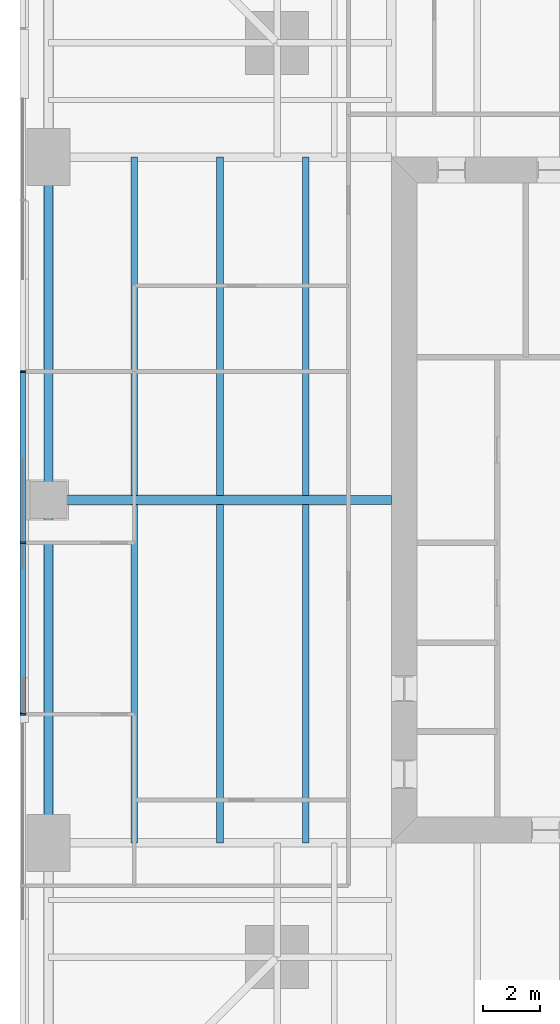
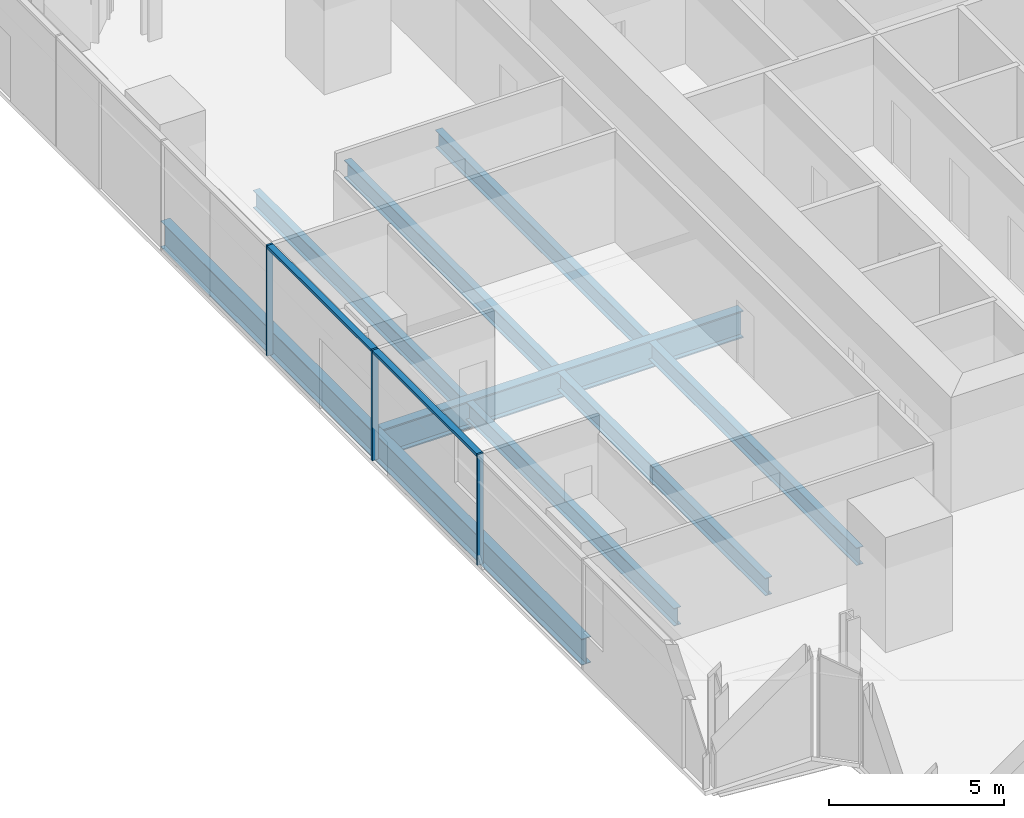
# One storey, part 4 of 13: 9 beams, 5 members, 1 element without a shape of its own.
"""IFC4 building model written with IfcOpenShell, lengths in metres."""

from ifc_helpers import new_model, si_unit, direction, frame, origin, origin_2d, place, context, subcontext, project, spatial, rectangle, i_section, extrude, material, material_profile, profile_set, type_object, element, aggregate, save


model = new_model("IFC4")

# Units and contexts
model_context = context("Model", 3, precision=1e-05, world=origin(), true_north=direction((0.0, 1.0)))
body_context = subcontext(model_context, "Body", "Model", "MODEL_VIEW")
ifc_project = project(units=[si_unit("LENGTHUNIT", "METRE"), si_unit("AREAUNIT", "SQUARE_METRE"), si_unit("VOLUMEUNIT", "CUBIC_METRE"), si_unit("PLANEANGLEUNIT", "RADIAN"), si_unit("MASSUNIT", "GRAM", prefix="KILO")], contexts=[model_context])

# Site, building, storey
site_placement = place(None, origin())
site = spatial("IfcSite", under=ifc_project, at=site_placement, CompositionType="ELEMENT")
building_placement = place(site_placement, origin())
building = spatial("IfcBuilding", under=site, at=building_placement, Name="Fenwick Lantern Interchange", CompositionType="ELEMENT")
storey_placement = place(building_placement, frame((0.0, 0.0, 138.39990234375)))
storey = spatial("IfcBuildingStorey", under=building, at=storey_placement, Name="L32", CompositionType="ELEMENT", Elevation=138.39990234375)

# Beams
ifc_material_1 = material(Name="Steel ASTM A992 Grade 50", Category="steel")
ifc_material_profile_1 = material_profile(ifc_material_1, i_section(OverallWidth=0.3046875, OverallDepth=0.911865234375, WebThickness=0.015869140625, FlangeThickness=0.02392578125, at=origin_2d()), Name="W36X150")
ifc_profile_set_1 = profile_set([ifc_material_profile_1], Name="Steel ASTM A992 Grade 50")
beam_type_1 = type_object("IfcBeamType", Name="EDGE BEAM W36X150", PredefinedType="SPANDREL", material=ifc_profile_set_1)
for number, where, z_axis, x_axis, name in (
    (1, (1.0, 37.0, -0.605712890625), (0.0, -1.0, 0.0), (1.0, 0.0, 0.0), "L32/FR/W/EB2"),
    (2, (1.0, 25.0, -0.605712890625), (0.0, -1.0, 0.0), (1.0, 0.0, 0.0), "L32/FR/W/EB3"),
):
    element("IfcBeam", number, at=place(storey_placement, frame(where, z_axis=z_axis, x_axis=x_axis)), inside=storey, type_object=beam_type_1, Name=name, PredefinedType="SPANDREL", context=body_context, shape_type="SweptSolid", body=[
        extrude(i_section(OverallWidth=0.3046875, OverallDepth=0.911865234375, WebThickness=0.015869140625, FlangeThickness=0.02392578125, at=origin_2d()), origin(), (0.0, 0.0, 1.0), 12.0),
    ])
ifc_material_profile_2 = material_profile(ifc_material_1, i_section(OverallWidth=0.22900390625, OverallDepth=0.612060546875, WebThickness=0.011962890625, FlangeThickness=0.01953125, at=origin_2d()), Name="W24X84")
ifc_profile_set_2 = profile_set([ifc_material_profile_2], Name="Steel ASTM A992 Grade 50")
beam_type_2 = type_object("IfcBeamType", Name="FLOOR BEAM W24X84", PredefinedType="BEAM", material=ifc_profile_set_2)
for number, where, z_axis, x_axis, name in (
    (3, (4.0, 37.0, -0.4560546875), (0.0, -1.0, 0.0), (1.0, 0.0, 0.0), "L32/FR/W/B01"),
    (4, (7.0, 37.0, -0.4560546875), (0.0, -1.0, 0.0), (1.0, 0.0, 0.0), "L32/FR/W/B02"),
    (5, (10.0, 37.0, -0.4560546875), (0.0, -1.0, 0.0), (1.0, 0.0, 0.0), "L32/FR/W/B03"),
    (6, (4.0, 24.844970703125, -0.4560546875), (0.0, -1.0, 0.0), (1.0, 0.0, 0.0), "L32/FR/W/B04"),
    (7, (7.0, 24.844970703125, -0.4560546875), (0.0, -1.0, 0.0), (1.0, 0.0, 0.0), "L32/FR/W/B05"),
    (8, (10.0, 24.844970703125, -0.4560546875), (0.0, -1.0, 0.0), (1.0, 0.0, 0.0), "L32/FR/W/B06"),
):
    element("IfcBeam", number, at=place(storey_placement, frame(where, z_axis=z_axis, x_axis=x_axis)), inside=storey, type_object=beam_type_2, Name=name, PredefinedType="BEAM", context=body_context, shape_type="SweptSolid", body=[
        extrude(i_section(OverallWidth=0.22900390625, OverallDepth=0.612060546875, WebThickness=0.011962890625, FlangeThickness=0.01953125, at=origin_2d()), origin(), (0.0, 0.0, 1.0), 11.844970703125),
    ])
ifc_material_profile_3 = material_profile(ifc_material_1, i_section(OverallWidth=0.309814453125, OverallDepth=0.949951171875, WebThickness=0.0244140625, FlangeThickness=0.0439453125, at=origin_2d()), Name="W36X256")
ifc_profile_set_3 = profile_set([ifc_material_profile_3], Name="Steel ASTM A992 Grade 50")
beam_type_3 = type_object("IfcBeamType", Name="MOMENT-CONNECTED GIRDER W36X256", PredefinedType="BEAM", material=ifc_profile_set_3)
beam_placement = place(storey_placement, frame((1.0, 25.0, -0.625), z_axis=(1.0, 0.0, 0.0), x_axis=(0.0, 1.0, 0.0)))
element("IfcBeam", 9, at=beam_placement, inside=storey, type_object=beam_type_3, Name="L32/FR/W/R02", PredefinedType="BEAM", context=body_context, shape_type="SweptSolid", body=[
    extrude(i_section(OverallWidth=0.309814453125, OverallDepth=0.949951171875, WebThickness=0.0244140625, FlangeThickness=0.0439453125, at=origin_2d()), origin(), (0.0, 0.0, 1.0), 12.0),
])

# Curtain wall, members
ifc_material_2 = material(Name="Aluminium curtain wall frame", Category="aluminium")
curtain_wall_type = type_object("IfcCurtainWallType", Name="OFFICE CURTAIN WALL", PredefinedType="USERDEFINED", material=ifc_material_2)
curtain_wall_placement = place(storey_placement, origin())
curtain_wall = element("IfcCurtainWall", 10, at=curtain_wall_placement, inside=storey, type_object=curtain_wall_type, Name="Office curtain wall 13", ObjectType="OFFICE CURTAIN WALL", PredefinedType="USERDEFINED")
ifc_material_3 = material(Name="Aluminium extrusion", Category="aluminium")
ifc_material_profile_4 = material_profile(ifc_material_3, rectangle(XDim=0.199951171875, YDim=0.06494140625, at=origin_2d()), Name="OFFICE CURTAIN WALL MULLION 65 X 200")
ifc_profile_set_4 = profile_set([ifc_material_profile_4], Name="Aluminium extrusion")
member_type_1 = type_object("IfcMemberType", Name="OFFICE CURTAIN WALL MULLION 65 X 200", PredefinedType="MULLION", material=ifc_profile_set_4)
member_1_placement = place(storey_placement, frame((0.10009765625, 29.5, 0.0), z_axis=(0.0, 0.0, 1.0), x_axis=(1.0, 0.0, 0.0)))
member_1 = element("IfcMember", 11, at=member_1_placement, type_object=member_type_1, Name="L32/CW/13/M03", PredefinedType="MULLION", context=body_context, shape_type="SweptSolid", body=[
    extrude(rectangle(XDim=0.199951171875, YDim=0.06494140625, at=origin_2d()), origin(), (0.0, 0.0, 1.0), 3.85009765625),
])
member_2_placement = place(storey_placement, frame((0.10009765625, 23.5, 0.0), z_axis=(0.0, 0.0, 1.0), x_axis=(1.0, 0.0, 0.0)))
member_2 = element("IfcMember", 12, at=member_2_placement, type_object=member_type_1, Name="L32/CW/13/M04", PredefinedType="MULLION", context=body_context, shape_type="SweptSolid", body=[
    extrude(rectangle(XDim=0.199951171875, YDim=0.06494140625, at=origin_2d()), origin(), (0.0, 0.0, 1.0), 3.85009765625),
])
member_3_placement = place(storey_placement, frame((0.10009765625, 17.5, 0.0), z_axis=(0.0, 0.0, 1.0), x_axis=(1.0, 0.0, 0.0)))
member_3 = element("IfcMember", 13, at=member_3_placement, type_object=member_type_1, Name="L32/CW/13/M05", PredefinedType="MULLION", context=body_context, shape_type="SweptSolid", body=[
    extrude(rectangle(XDim=0.199951171875, YDim=0.06494140625, at=origin_2d()), origin(), (0.0, 0.0, 1.0), 3.85009765625),
])
ifc_material_profile_5 = material_profile(ifc_material_3, rectangle(XDim=0.199951171875, YDim=0.10009765625, at=origin_2d()), Name="OFFICE CURTAIN WALL TRANSOM 100 X 200")
ifc_profile_set_5 = profile_set([ifc_material_profile_5], Name="Aluminium extrusion")
member_type_2 = type_object("IfcMemberType", Name="OFFICE CURTAIN WALL TRANSOM 100 X 200", PredefinedType="MULLION", material=ifc_profile_set_5)
member_4_placement = place(storey_placement, frame((0.10009765625, 29.467529296875, 3.800048828125), z_axis=(0.0, -1.0, 0.0), x_axis=(1.0, 0.0, 0.0)))
member_4 = element("IfcMember", 14, at=member_4_placement, type_object=member_type_2, Name="L32/CW/13/T03", PredefinedType="MULLION", context=body_context, shape_type="SweptSolid", body=[
    extrude(rectangle(XDim=0.199951171875, YDim=0.10009765625, at=origin_2d()), origin(), (0.0, 0.0, 1.0), 5.93505859375),
])
member_5_placement = place(storey_placement, frame((0.10009765625, 23.467529296875, 3.800048828125), z_axis=(0.0, -1.0, 0.0), x_axis=(1.0, 0.0, 0.0)))
member_5 = element("IfcMember", 15, at=member_5_placement, type_object=member_type_2, Name="L32/CW/13/T04", PredefinedType="MULLION", context=body_context, shape_type="SweptSolid", body=[
    extrude(rectangle(XDim=0.199951171875, YDim=0.10009765625, at=origin_2d()), origin(), (0.0, 0.0, 1.0), 5.93505859375),
])
aggregate(curtain_wall, [member_1, member_2, member_3, member_4, member_5])

save(model, "model.ifc")
